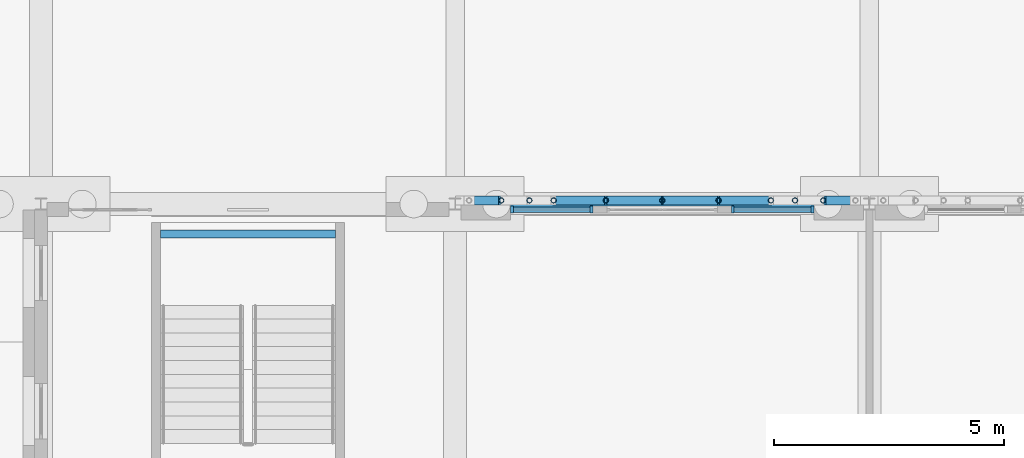
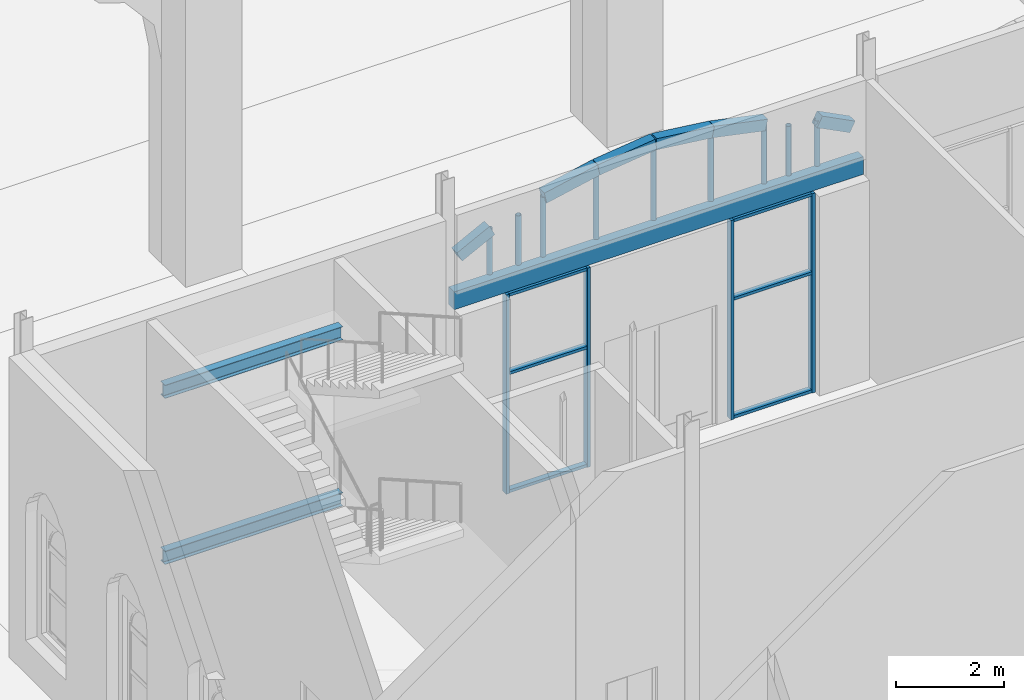
# One storey, part 45 of 250: 19 members, 9 beams, 2 elements without a shape of their own.
"""IFC4 building model written with IfcOpenShell, lengths in metres."""

import ifcopenshell
import ifcopenshell.guid

model = None  # the IFC model being written
_history = None  # IfcOwnerHistory: only IFC2X3 demands one
_inside = {}  # id of a spatial element -> (the spatial element, [elements in it])
_under = {}  # id of a project, library or spatial element -> (it, [spatial elements below it])
_declared = {}  # id of a project -> (the project, [libraries it declares])
_typed = {}  # id of a type object -> (the type object, [elements of that type])
_made_of = {}  # id of a material, layer set ... -> (it, [elements and type objects made of it])


def new_model(schema):
    """Start an empty IFC model of exactly this schema.

    Asked for "IFC4X3", IfcOpenShell would pick the latest addendum, in which some entities
    have other attributes; the version numbers below select the first issue.
    IFC2X3 requires an IfcOwnerHistory on every rooted entity: one is made here for all.
    """
    global model, _history
    if schema == "IFC4X3":
        model = ifcopenshell.file(schema_version=(4, 3, 0, 0))
    else:
        model = ifcopenshell.file(schema=schema)
    _inside.clear()
    _under.clear()
    _declared.clear()
    _typed.clear()
    _made_of.clear()
    _history = None
    if model.schema == "IFC2X3":
        org = make("IfcOrganization", Name="unknown")
        user = make(
            "IfcPersonAndOrganization",
            ThePerson=make("IfcPerson", FamilyName="unknown"),
            TheOrganization=org,
        )
        app = make(
            "IfcApplication",
            ApplicationDeveloper=org,
            Version="unknown",
            ApplicationFullName="unknown",
            ApplicationIdentifier="unknown",
        )
        _history = make(
            "IfcOwnerHistory",
            OwningUser=user,
            OwningApplication=app,
            ChangeAction="ADDED",
            CreationDate=0,
        )
    return model


def make(cls, **values):
    """One entity of the class cls with the attributes given. An attribute that is None is left unset."""
    return model.create_entity(
        cls, **{name: value for name, value in values.items() if value is not None}
    )


def rooted(cls, **values):
    """An entity with a GlobalId (a new one), such as an element, a storey or a relation."""
    return make(cls, GlobalId=ifcopenshell.guid.new(), OwnerHistory=_history, **values)


def si_unit(unit_type, name, prefix=None):
    """IfcSIUnit, for example si_unit("LENGTHUNIT", "METRE", prefix="MILLI")."""
    return make("IfcSIUnit", UnitType=unit_type, Prefix=prefix, Name=name)


def assignment(units):
    """IfcUnitAssignment: the units of a project."""
    return None if units is None else make("IfcUnitAssignment", Units=units)


def point(xyz):
    """IfcCartesianPoint."""
    return None if xyz is None else make("IfcCartesianPoint", Coordinates=xyz)


def direction(xyz):
    """IfcDirection."""
    return None if xyz is None else make("IfcDirection", DirectionRatios=xyz)


def frame(location, z_axis=None, x_axis=None):
    """IfcAxis2Placement3D, a coordinate frame: its origin and axes. An axis left out is left unset."""
    return make(
        "IfcAxis2Placement3D",
        Location=point(location),
        Axis=direction(z_axis),
        RefDirection=direction(x_axis),
    )


def frame_2d(location, x_axis=None):
    """IfcAxis2Placement2D, a coordinate frame in the plane: its origin and x axis."""
    return make(
        "IfcAxis2Placement2D", Location=point(location), RefDirection=direction(x_axis)
    )


def origin():
    """The frame at (0, 0, 0) with its axes left unset."""
    return frame((0.0, 0.0, 0.0))


def origin_2d():
    """The frame at (0, 0) in the plane with its x axis left unset."""
    return frame_2d((0.0, 0.0))


def place(relative_to, where):
    """IfcLocalPlacement: puts the frame where relative to a parent placement (None: the world)."""
    return make(
        "IfcLocalPlacement", PlacementRelTo=relative_to, RelativePlacement=where
    )


def context(
    kind, dimensions, precision=None, world=None, true_north=None, identifier=None
):
    """IfcGeometricRepresentationContext, for example the 3D "Model" context."""
    return make(
        "IfcGeometricRepresentationContext",
        ContextIdentifier=identifier,
        ContextType=kind,
        CoordinateSpaceDimension=dimensions,
        Precision=precision,
        WorldCoordinateSystem=world,
        TrueNorth=true_north,
    )


def subcontext(parent, identifier, kind, view, scale=None):
    """IfcGeometricRepresentationSubContext, for example "Body" below "Model"."""
    return make(
        "IfcGeometricRepresentationSubContext",
        ContextIdentifier=identifier,
        ContextType=kind,
        ParentContext=parent,
        TargetScale=scale,
        TargetView=view,
    )


def project(units=None, contexts=None):
    """IfcProject with its units and contexts."""
    return rooted(
        "IfcProject",
        Name="project",
        RepresentationContexts=contexts,
        UnitsInContext=assignment(units),
    )


def spatial(cls, under=None, at=None, **own):
    """A site, building, storey or space (cls), placed at a placement, below another one or the project."""
    s = rooted(cls, ObjectPlacement=at, **own)
    if under is not None:
        _under.setdefault(under.id(), (under, []))[1].append(s)
    return s


def profile(cls, at=None, kind="AREA", **sizes):
    """A parametric profile (cls). Its sizes go by their IFC names, for example OverallWidth=200.0."""
    return make(cls, ProfileType=kind, Position=at, **sizes)


def rectangle(**sizes):
    """IfcRectangleProfileDef."""
    return profile("IfcRectangleProfileDef", **sizes)


def hollow_circle(**sizes):
    """IfcCircleHollowProfileDef."""
    return profile("IfcCircleHollowProfileDef", **sizes)


def i_section(**sizes):
    """IfcIShapeProfileDef."""
    return profile("IfcIShapeProfileDef", **sizes)


def extrude(swept, where, along, depth):
    """IfcExtrudedAreaSolid: the profile swept, set in the frame where, extruded along a direction by depth."""
    return make(
        "IfcExtrudedAreaSolid",
        SweptArea=swept,
        Position=where,
        ExtrudedDirection=direction(along),
        Depth=depth,
    )


def shape(context_of_items, identifier, shape_type, items):
    """IfcShapeRepresentation: the items that make up one representation, for example the "Body"."""
    return make(
        "IfcShapeRepresentation",
        ContextOfItems=context_of_items,
        RepresentationIdentifier=identifier,
        RepresentationType=shape_type,
        Items=items,
    )


def material(Name=None, Category=None):
    """IfcMaterial."""
    return make("IfcMaterial", Name=Name, Category=Category)


def material_profile(
    of_material, cross_section, Name=None, Category=None, Priority=None
):
    """IfcMaterialProfile: a cross section and its material."""
    return make(
        "IfcMaterialProfile",
        Name=Name,
        Material=of_material,
        Profile=cross_section,
        Priority=Priority,
        Category=Category,
    )


def profile_set(profiles, Name=None, composite=None):
    """IfcMaterialProfileSet."""
    return make(
        "IfcMaterialProfileSet",
        Name=Name,
        MaterialProfiles=profiles,
        CompositeProfile=composite,
    )


def made_of(thing, what):
    """Note that an element or type object is made of a material, layer set ...; save() writes the relation."""
    if what is not None:
        _made_of.setdefault(what.id(), (what, []))[1].append(thing)
    return thing


def type_object(cls, material=None, **own):
    """A type object (cls), such as IfcWallType, which elements share."""
    return made_of(rooted(cls, **own), material)


def element(
    cls,
    number,
    at=None,
    inside=None,
    cuts=None,
    type_object=None,
    material=None,
    context=None,
    identifier="Body",
    shape_type=None,
    held_by="IfcProductDefinitionShape",
    body=None,
    shapes=None,
    **own,
):
    """One element of the class cls, such as IfcWall. Its Tag is "e" and its number.

    at: its placement. inside: the storey or other place that contains it. cuts: it is an
    opening in that element (IfcRelVoidsElement). A single representation is given by context,
    identifier, shape_type and body (its items); several are given by shapes. held_by: the class
    of the entity that holds the representations. save() writes the other relations.
    """
    e = rooted(cls, Tag="e%d" % number, ObjectPlacement=at, **own)
    if body is not None:
        shapes = [shape(context, identifier, shape_type, body)]
    if shapes is not None:
        e.Representation = make(held_by, Representations=shapes)
    if inside is not None:
        _inside.setdefault(inside.id(), (inside, []))[1].append(e)
    if cuts is not None:
        rooted(
            "IfcRelVoidsElement", RelatingBuildingElement=cuts, RelatedOpeningElement=e
        )
    if type_object is not None:
        _typed.setdefault(type_object.id(), (type_object, []))[1].append(e)
    return made_of(e, material)


def aggregate(whole, parts):
    """IfcRelAggregates: a whole, such as a stair, and the parts it consists of."""
    return rooted("IfcRelAggregates", RelatingObject=whole, RelatedObjects=parts)


def save(model, path):
    """Write the relations noted so far, then the file.

    IfcRelAggregates (storeys below a building ...), IfcRelContainedInSpatialStructure (elements
    in a storey), IfcRelDefinesByType, IfcRelAssociatesMaterial and IfcRelDeclares: one each for
    every whole, place, type object, material and project.
    """
    for whole, parts in _under.values():
        aggregate(whole, parts)
    for where, things in _inside.values():
        rooted(
            "IfcRelContainedInSpatialStructure",
            RelatedElements=things,
            RelatingStructure=where,
        )
    for kind, things in _typed.values():
        rooted("IfcRelDefinesByType", RelatedObjects=things, RelatingType=kind)
    for what, things in _made_of.values():
        rooted("IfcRelAssociatesMaterial", RelatedObjects=things, RelatingMaterial=what)
    for by, libraries in _declared.values():
        rooted("IfcRelDeclares", RelatingContext=by, RelatedDefinitions=libraries)
    model.write(path)


model = new_model("IFC4")

# Units and contexts
model_context = context("Model", 3, precision=1e-05, world=origin(), true_north=direction((0.0, 1.0)))
body_context = subcontext(model_context, "Body", "Model", "MODEL_VIEW")
ifc_project = project(units=[si_unit("LENGTHUNIT", "METRE"), si_unit("AREAUNIT", "SQUARE_METRE"), si_unit("VOLUMEUNIT", "CUBIC_METRE"), si_unit("PLANEANGLEUNIT", "RADIAN"), si_unit("MASSUNIT", "GRAM", prefix="KILO")], contexts=[model_context])

# Site, building, storey
site_placement = place(None, origin())
site = spatial("IfcSite", under=ifc_project, at=site_placement, CompositionType="ELEMENT")
building_placement = place(site_placement, origin())
building = spatial("IfcBuilding", under=site, at=building_placement, Name="Baradari Gate Terminus", CompositionType="ELEMENT")
storey_placement = place(building_placement, origin())
storey = spatial("IfcBuildingStorey", under=building, at=storey_placement, Name="L00", CompositionType="ELEMENT", Elevation=0.0)

# Members
ifc_material_1 = material(Name="Steel S355", Category="steel")
ifc_material_profile_1 = material_profile(ifc_material_1, hollow_circle(Radius=0.05712890625, WallThickness=0.00634765625, at=origin_2d()), Name="CHS 114.3x6.3")
ifc_profile_set_1 = profile_set([ifc_material_profile_1], Name="Steel S355")
member_type_1 = type_object("IfcMemberType", Name="Arcade arch post SP-2 114x6.3", PredefinedType="POST", material=ifc_profile_set_1)
member_1_placement = place(storey_placement, frame((73.00244140625, 108.07861328125, 4.89990234375), z_axis=(0.0, 0.0, 1.0), x_axis=(1.0, 0.0, 0.0)))
element("IfcMember", 1, at=member_1_placement, inside=storey, type_object=member_type_1, Name="Arcade arch post 8.3", PredefinedType="POST", context=body_context, shape_type="SweptSolid", body=[
    extrude(hollow_circle(Radius=0.05712890625, WallThickness=0.00634765625, at=origin_2d()), origin(), (0.0, 0.0, 1.0), 1.02587890625),
])
member_2_placement = place(storey_placement, frame((73.614501953125, 108.07861328125, 4.89990234375), z_axis=(0.0, 0.0, 1.0), x_axis=(1.0, 0.0, 0.0)))
element("IfcMember", 2, at=member_2_placement, inside=storey, type_object=member_type_1, Name="Arcade arch post 8.4", PredefinedType="POST", context=body_context, shape_type="SweptSolid", body=[
    extrude(hollow_circle(Radius=0.05712890625, WallThickness=0.00634765625, at=origin_2d()), origin(), (0.0, 0.0, 1.0), 1.115478515625),
])
member_3_placement = place(storey_placement, frame((74.13916015625, 108.07861328125, 4.89990234375), z_axis=(0.0, 0.0, 1.0), x_axis=(1.0, 0.0, 0.0)))
element("IfcMember", 3, at=member_3_placement, inside=storey, type_object=member_type_1, Name="Arcade arch post 8.5", PredefinedType="POST", context=body_context, shape_type="SweptSolid", body=[
    extrude(hollow_circle(Radius=0.05712890625, WallThickness=0.00634765625, at=origin_2d()), origin(), (0.0, 0.0, 1.0), 1.354248046875),
])
member_4_placement = place(storey_placement, frame((75.27587890625, 108.07861328125, 4.89990234375), z_axis=(0.0, 0.0, 1.0), x_axis=(1.0, 0.0, 0.0)))
element("IfcMember", 4, at=member_4_placement, inside=storey, type_object=member_type_1, Name="Arcade arch post 8.6", PredefinedType="POST", context=body_context, shape_type="SweptSolid", body=[
    extrude(hollow_circle(Radius=0.05712890625, WallThickness=0.00634765625, at=origin_2d()), origin(), (0.0, 0.0, 1.0), 1.593017578125),
])
member_5_placement = place(storey_placement, frame((76.5, 108.07861328125, 4.89990234375), z_axis=(0.0, 0.0, 1.0), x_axis=(1.0, 0.0, 0.0)))
element("IfcMember", 5, at=member_5_placement, inside=storey, type_object=member_type_1, Name="Arcade arch post 8.7", PredefinedType="POST", context=body_context, shape_type="SweptSolid", body=[
    extrude(hollow_circle(Radius=0.05712890625, WallThickness=0.00634765625, at=origin_2d()), origin(), (0.0, 0.0, 1.0), 1.7421875),
])
member_6_placement = place(storey_placement, frame((77.72412109375, 108.07861328125, 4.89990234375), z_axis=(0.0, 0.0, 1.0), x_axis=(1.0, 0.0, 0.0)))
element("IfcMember", 6, at=member_6_placement, inside=storey, type_object=member_type_1, Name="Arcade arch post 8.8", PredefinedType="POST", context=body_context, shape_type="SweptSolid", body=[
    extrude(hollow_circle(Radius=0.05712890625, WallThickness=0.00634765625, at=origin_2d()), origin(), (0.0, 0.0, 1.0), 1.593017578125),
])
member_7_placement = place(storey_placement, frame((78.86083984375, 108.07861328125, 4.89990234375), z_axis=(0.0, 0.0, 1.0), x_axis=(1.0, 0.0, 0.0)))
element("IfcMember", 7, at=member_7_placement, inside=storey, type_object=member_type_1, Name="Arcade arch post 8.9", PredefinedType="POST", context=body_context, shape_type="SweptSolid", body=[
    extrude(hollow_circle(Radius=0.05712890625, WallThickness=0.00634765625, at=origin_2d()), origin(), (0.0, 0.0, 1.0), 1.354248046875),
])
member_8_placement = place(storey_placement, frame((79.385498046875, 108.07861328125, 4.89990234375), z_axis=(0.0, 0.0, 1.0), x_axis=(1.0, 0.0, 0.0)))
element("IfcMember", 8, at=member_8_placement, inside=storey, type_object=member_type_1, Name="Arcade arch post 8.10", PredefinedType="POST", context=body_context, shape_type="SweptSolid", body=[
    extrude(hollow_circle(Radius=0.05712890625, WallThickness=0.00634765625, at=origin_2d()), origin(), (0.0, 0.0, 1.0), 1.115478515625),
])
member_9_placement = place(storey_placement, frame((79.99755859375, 108.07861328125, 4.89990234375), z_axis=(0.0, 0.0, 1.0), x_axis=(1.0, 0.0, 0.0)))
element("IfcMember", 9, at=member_9_placement, inside=storey, type_object=member_type_1, Name="Arcade arch post 8.11", PredefinedType="POST", context=body_context, shape_type="SweptSolid", body=[
    extrude(hollow_circle(Radius=0.05712890625, WallThickness=0.00634765625, at=origin_2d()), origin(), (0.0, 0.0, 1.0), 1.02587890625),
])

# Beams
ifc_material_2 = material(Name="Concrete C40/50 precast", Category="concrete")
ifc_material_profile_2 = material_profile(ifc_material_2, rectangle(XDim=0.199951171875, YDim=0.25, at=origin_2d()), Name="AB-1 200X250")
ifc_profile_set_2 = profile_set([ifc_material_profile_2], Name="Concrete C40/50 precast")
beam_type_1 = type_object("IfcBeamType", Name="Arcade arch segment AB-1 200x250", PredefinedType="BEAM", material=ifc_profile_set_2)
beam_1_placement = place(storey_placement, frame((72.302978515625, 108.07861328125, 5.56787109375), z_axis=(0.89022472097, 0.0, 0.455521619875), x_axis=(0.0, 1.0, 0.0)))
element("IfcBeam", 10, at=beam_1_placement, inside=storey, type_object=beam_type_1, Name="Arcade arch AB-1 bay 8 segment 2", PredefinedType="BEAM", context=body_context, shape_type="SweptSolid", body=[
    extrude(rectangle(XDim=0.199951171875, YDim=0.25, at=origin_2d()), origin(), (0.0, 0.0, 1.0), 0.78564453125),
])
beam_2_placement = place(storey_placement, frame((74.13916015625, 108.07861328125, 6.254150390625), z_axis=(0.978643349291, 0.0, 0.205565548885), x_axis=(0.0, 1.0, 0.0)))
element("IfcBeam", 11, at=beam_2_placement, inside=storey, type_object=beam_type_1, Name="Arcade arch AB-1 bay 8 segment 5", PredefinedType="BEAM", context=body_context, shape_type="SweptSolid", body=[
    extrude(rectangle(XDim=0.199951171875, YDim=0.25, at=origin_2d()), origin(), (0.0, 0.0, 1.0), 1.16162109375),
])
for number, where, z_axis, x_axis, name in (
    (12, (75.27587890625, 108.07861328125, 6.492919921875), (0.992656897947, 0.0, 0.120963973802), (0.0, 1.0, 0.0), "Arcade arch AB-1 bay 8 segment 6"),
    (13, (76.5, 108.07861328125, 6.64208984375), (0.992656897947, 0.0, -0.120963973802), (0.0, 1.0, 0.0), "Arcade arch AB-1 bay 8 segment 7"),
):
    element("IfcBeam", number, at=place(storey_placement, frame(where, z_axis=z_axis, x_axis=x_axis)), inside=storey, type_object=beam_type_1, Name=name, PredefinedType="BEAM", context=body_context, shape_type="SweptSolid", body=[
        extrude(rectangle(XDim=0.199951171875, YDim=0.25, at=origin_2d()), origin(), (0.0, 0.0, 1.0), 1.233154296875),
    ])
beam_3_placement = place(storey_placement, frame((77.72412109375, 108.07861328125, 6.492919921875), z_axis=(0.978643349291, 0.0, -0.205565548885), x_axis=(0.0, 1.0, 0.0)))
element("IfcBeam", 14, at=beam_3_placement, inside=storey, type_object=beam_type_1, Name="Arcade arch AB-1 bay 8 segment 8", PredefinedType="BEAM", context=body_context, shape_type="SweptSolid", body=[
    extrude(rectangle(XDim=0.199951171875, YDim=0.25, at=origin_2d()), origin(), (0.0, 0.0, 1.0), 1.16162109375),
])
beam_4_placement = place(storey_placement, frame((79.99755859375, 108.07861328125, 5.92578125), z_axis=(0.89022472097, 0.0, -0.455521619875), x_axis=(0.0, 1.0, 0.0)))
element("IfcBeam", 15, at=beam_4_placement, inside=storey, type_object=beam_type_1, Name="Arcade arch AB-1 bay 8 segment 11", PredefinedType="BEAM", context=body_context, shape_type="SweptSolid", body=[
    extrude(rectangle(XDim=0.199951171875, YDim=0.25, at=origin_2d()), origin(), (0.0, 0.0, 1.0), 0.78564453125),
])
ifc_material_3 = material(Name="Concrete C50/60 precast", Category="concrete")
ifc_material_profile_3 = material_profile(ifc_material_3, rectangle(XDim=0.199951171875, YDim=0.39990234375, at=origin_2d()), Name="LB-1 200X400")
ifc_profile_set_3 = profile_set([ifc_material_profile_3], Name="Concrete C50/60 precast")
beam_type_2 = type_object("IfcBeamType", Name="Arcade lintel LB-1 200x400", PredefinedType="LINTEL", material=ifc_profile_set_3)
beam_5_placement = place(storey_placement, frame((72.128173828125, 107.978515625, 4.699951171875), z_axis=(1.0, 0.0, 0.0), x_axis=(0.0, 1.0, 0.0)))
element("IfcBeam", 16, at=beam_5_placement, inside=storey, type_object=beam_type_2, Name="Arcade lintel LB-1 bay 8", PredefinedType="LINTEL", context=body_context, shape_type="SweptSolid", body=[
    extrude(rectangle(XDim=0.199951171875, YDim=0.39990234375, at=origin_2d()), origin(), (0.0, 0.0, 1.0), 8.74365234375),
])

# Curtain wall, members
ifc_material_4 = material(Name="Aluminium 6063-T6", Category="aluminium")
curtain_wall_type = type_object("IfcCurtainWallType", Name="Curtain wall CW-2 shopfront", PredefinedType="NOTDEFINED", material=ifc_material_4)
curtain_wall_1_placement = place(storey_placement, origin())
curtain_wall_1 = element("IfcCurtainWall", 17, at=curtain_wall_1_placement, inside=storey, type_object=curtain_wall_type, Name="Shopfront curtain wall CW-2 HN bay 8 L00", PredefinedType="NOTDEFINED")
ifc_material_5 = material(Name="Aluminium 6063-T6", Category="aluminium")
ifc_material_profile_4 = material_profile(ifc_material_5, rectangle(XDim=0.14990234375, YDim=0.06494140625, at=origin_2d()), Name="CM-2 65X150")
ifc_profile_set_4 = profile_set([ifc_material_profile_4], Name="Aluminium 6063-T6")
member_type_2 = type_object("IfcMemberType", Name="Curtain wall mullion CM-2 65x150", PredefinedType="MULLION", material=ifc_profile_set_4)
member_10_placement = place(storey_placement, frame((73.232421875, 107.87841796875, 0.0), z_axis=(0.0, 0.0, 1.0), x_axis=(0.0, 1.0, 0.0)))
member_10 = element("IfcMember", 18, at=member_10_placement, type_object=member_type_2, Name="CW-2 mullion 1", PredefinedType="MULLION", context=body_context, shape_type="SweptSolid", body=[
    extrude(rectangle(XDim=0.14990234375, YDim=0.06494140625, at=origin_2d()), origin(), (0.0, 0.0, 1.0), 4.5),
])
member_11_placement = place(storey_placement, frame((74.967529296875, 107.87841796875, 0.0), z_axis=(0.0, 0.0, 1.0), x_axis=(0.0, 1.0, 0.0)))
member_11 = element("IfcMember", 19, at=member_11_placement, type_object=member_type_2, Name="CW-2 mullion 2", PredefinedType="MULLION", context=body_context, shape_type="SweptSolid", body=[
    extrude(rectangle(XDim=0.14990234375, YDim=0.06494140625, at=origin_2d()), origin(), (0.0, 0.0, 1.0), 4.5),
])

curtain_wall_2_placement = place(storey_placement, origin())
curtain_wall_2 = element("IfcCurtainWall", 20, at=curtain_wall_2_placement, inside=storey, type_object=curtain_wall_type, Name="Shopfront curtain wall CW-2 HN bay 8 L00", PredefinedType="NOTDEFINED")
member_12_placement = place(storey_placement, frame((78.032470703125, 107.87841796875, 0.0), z_axis=(0.0, 0.0, 1.0), x_axis=(0.0, 1.0, 0.0)))
member_12 = element("IfcMember", 21, at=member_12_placement, type_object=member_type_2, Name="CW-2 mullion 1", PredefinedType="MULLION", context=body_context, shape_type="SweptSolid", body=[
    extrude(rectangle(XDim=0.14990234375, YDim=0.06494140625, at=origin_2d()), origin(), (0.0, 0.0, 1.0), 4.5),
])
member_13_placement = place(storey_placement, frame((79.767578125, 107.87841796875, 0.0), z_axis=(0.0, 0.0, 1.0), x_axis=(0.0, 1.0, 0.0)))
member_13 = element("IfcMember", 22, at=member_13_placement, type_object=member_type_2, Name="CW-2 mullion 2", PredefinedType="MULLION", context=body_context, shape_type="SweptSolid", body=[
    extrude(rectangle(XDim=0.14990234375, YDim=0.06494140625, at=origin_2d()), origin(), (0.0, 0.0, 1.0), 4.5),
])

# Member
ifc_material_6 = material(Name="Aluminium 6063-T6", Category="aluminium")
ifc_material_profile_5 = material_profile(ifc_material_6, rectangle(XDim=0.1201171875, YDim=0.06494140625, at=origin_2d()), Name="CT-2 65X120")
ifc_profile_set_5 = profile_set([ifc_material_profile_5], Name="Aluminium 6063-T6")
member_type_3 = type_object("IfcMemberType", Name="Curtain wall transom CT-2 65x120", PredefinedType="USERDEFINED", material=ifc_profile_set_5)
member_14_placement = place(storey_placement, frame((73.264892578125, 107.87841796875, 0.032470703125), z_axis=(1.0, 0.0, 0.0), x_axis=(0.0, 1.0, 0.0)))
member_14 = element("IfcMember", 23, at=member_14_placement, type_object=member_type_3, Name="CW-2 transom 1.1", ObjectType="TRANSOM", PredefinedType="USERDEFINED", context=body_context, shape_type="SweptSolid", body=[
    extrude(rectangle(XDim=0.1201171875, YDim=0.06494140625, at=origin_2d()), origin(), (0.0, 0.0, 1.0), 1.670166015625),
])

member_15_placement = place(storey_placement, frame((73.264892578125, 107.87841796875, 2.699951171875), z_axis=(1.0, 0.0, 0.0), x_axis=(0.0, 1.0, 0.0)))
member_15 = element("IfcMember", 24, at=member_15_placement, type_object=member_type_3, Name="CW-2 transom 1.2", ObjectType="TRANSOM", PredefinedType="USERDEFINED", context=body_context, shape_type="SweptSolid", body=[
    extrude(rectangle(XDim=0.1201171875, YDim=0.06494140625, at=origin_2d()), origin(), (0.0, 0.0, 1.0), 1.670166015625),
])

member_16_placement = place(storey_placement, frame((73.264892578125, 107.87841796875, 4.467529296875), z_axis=(1.0, 0.0, 0.0), x_axis=(0.0, 1.0, 0.0)))
member_16 = element("IfcMember", 25, at=member_16_placement, type_object=member_type_3, Name="CW-2 transom 1.3", ObjectType="TRANSOM", PredefinedType="USERDEFINED", context=body_context, shape_type="SweptSolid", body=[
    extrude(rectangle(XDim=0.1201171875, YDim=0.06494140625, at=origin_2d()), origin(), (0.0, 0.0, 1.0), 1.670166015625),
])

aggregate(curtain_wall_1, [member_10, member_11, member_14, member_15, member_16])

member_17_placement = place(storey_placement, frame((78.06494140625, 107.87841796875, 0.032470703125), z_axis=(1.0, 0.0, 0.0), x_axis=(0.0, 1.0, 0.0)))
member_17 = element("IfcMember", 26, at=member_17_placement, type_object=member_type_3, Name="CW-2 transom 1.1", ObjectType="TRANSOM", PredefinedType="USERDEFINED", context=body_context, shape_type="SweptSolid", body=[
    extrude(rectangle(XDim=0.1201171875, YDim=0.06494140625, at=origin_2d()), origin(), (0.0, 0.0, 1.0), 1.670166015625),
])

member_18_placement = place(storey_placement, frame((78.06494140625, 107.87841796875, 2.699951171875), z_axis=(1.0, 0.0, 0.0), x_axis=(0.0, 1.0, 0.0)))
member_18 = element("IfcMember", 27, at=member_18_placement, type_object=member_type_3, Name="CW-2 transom 1.2", ObjectType="TRANSOM", PredefinedType="USERDEFINED", context=body_context, shape_type="SweptSolid", body=[
    extrude(rectangle(XDim=0.1201171875, YDim=0.06494140625, at=origin_2d()), origin(), (0.0, 0.0, 1.0), 1.670166015625),
])

member_19_placement = place(storey_placement, frame((78.06494140625, 107.87841796875, 4.467529296875), z_axis=(1.0, 0.0, 0.0), x_axis=(0.0, 1.0, 0.0)))
member_19 = element("IfcMember", 28, at=member_19_placement, type_object=member_type_3, Name="CW-2 transom 1.3", ObjectType="TRANSOM", PredefinedType="USERDEFINED", context=body_context, shape_type="SweptSolid", body=[
    extrude(rectangle(XDim=0.1201171875, YDim=0.06494140625, at=origin_2d()), origin(), (0.0, 0.0, 1.0), 1.670166015625),
])

aggregate(curtain_wall_2, [member_12, member_13, member_17, member_18, member_19])

# Beams
ifc_material_7 = material(Name="Steel S355", Category="steel")
ifc_material_profile_6 = material_profile(ifc_material_7, i_section(OverallWidth=0.1650390625, OverallDepth=0.303466796875, WebThickness=0.006103515625, FlangeThickness=0.01025390625, FilletRadius=0.0087890625, at=origin_2d()), Name="UB 305x165x40")
ifc_profile_set_6 = profile_set([ifc_material_profile_6], Name="Steel S355")
beam_type_3 = type_object("IfcBeamType", Name="Landing beam B71 UB 305x165x40", PredefinedType="BEAM", material=ifc_profile_set_6)
beam_6_placement = place(storey_placement, frame((65.60009765625, 107.35009765625, 1.54833984375), z_axis=(1.0, 0.0, 0.0), x_axis=(0.0, 1.0, 0.0)))
element("IfcBeam", 29, at=beam_6_placement, inside=storey, type_object=beam_type_3, Name="B71 landing beam ST-H1/L1", PredefinedType="BEAM", context=body_context, shape_type="SweptSolid", body=[
    extrude(i_section(OverallWidth=0.1650390625, OverallDepth=0.303466796875, WebThickness=0.006103515625, FlangeThickness=0.01025390625, FilletRadius=0.0087890625, at=origin_2d()), origin(), (0.0, 0.0, 1.0), 3.7998046875),
])
ifc_material_8 = material(Name="Steel S355", Category="steel")
ifc_material_profile_7 = material_profile(ifc_material_8, i_section(OverallWidth=0.1650390625, OverallDepth=0.303466796875, WebThickness=0.006103515625, FlangeThickness=0.01025390625, FilletRadius=0.0087890625, at=origin_2d()), Name="UB 305x165x40")
ifc_profile_set_7 = profile_set([ifc_material_profile_7], Name="Steel S355")
beam_type_4 = type_object("IfcBeamType", Name="Landing beam B72 UB 305x165x40", PredefinedType="BEAM", material=ifc_profile_set_7)
beam_7_placement = place(storey_placement, frame((65.60009765625, 107.35009765625, 5.29833984375), z_axis=(1.0, 0.0, 0.0), x_axis=(0.0, 1.0, 0.0)))
element("IfcBeam", 30, at=beam_7_placement, inside=storey, type_object=beam_type_4, Name="B72 landing beam ST-H1/L3", PredefinedType="BEAM", context=body_context, shape_type="SweptSolid", body=[
    extrude(i_section(OverallWidth=0.1650390625, OverallDepth=0.303466796875, WebThickness=0.006103515625, FlangeThickness=0.01025390625, FilletRadius=0.0087890625, at=origin_2d()), origin(), (0.0, 0.0, 1.0), 3.7998046875),
])

save(model, "model.ifc")
